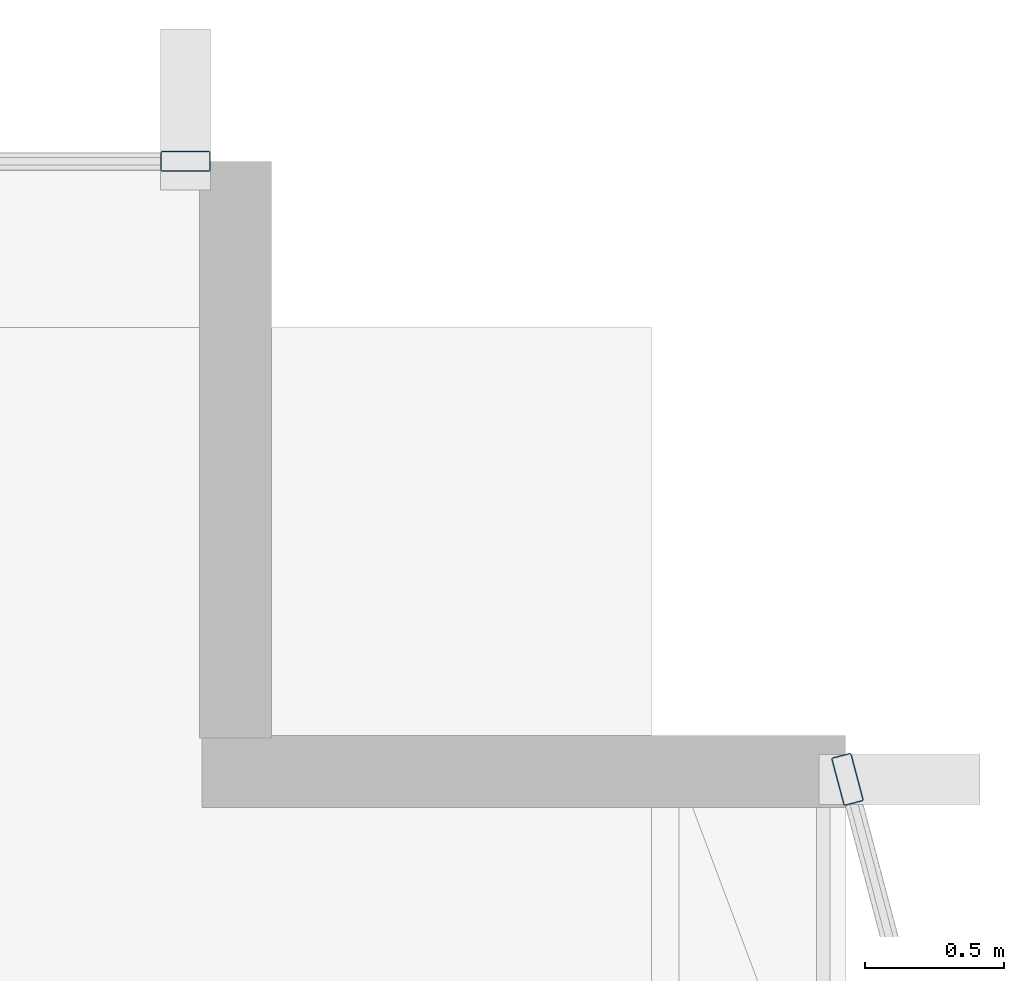
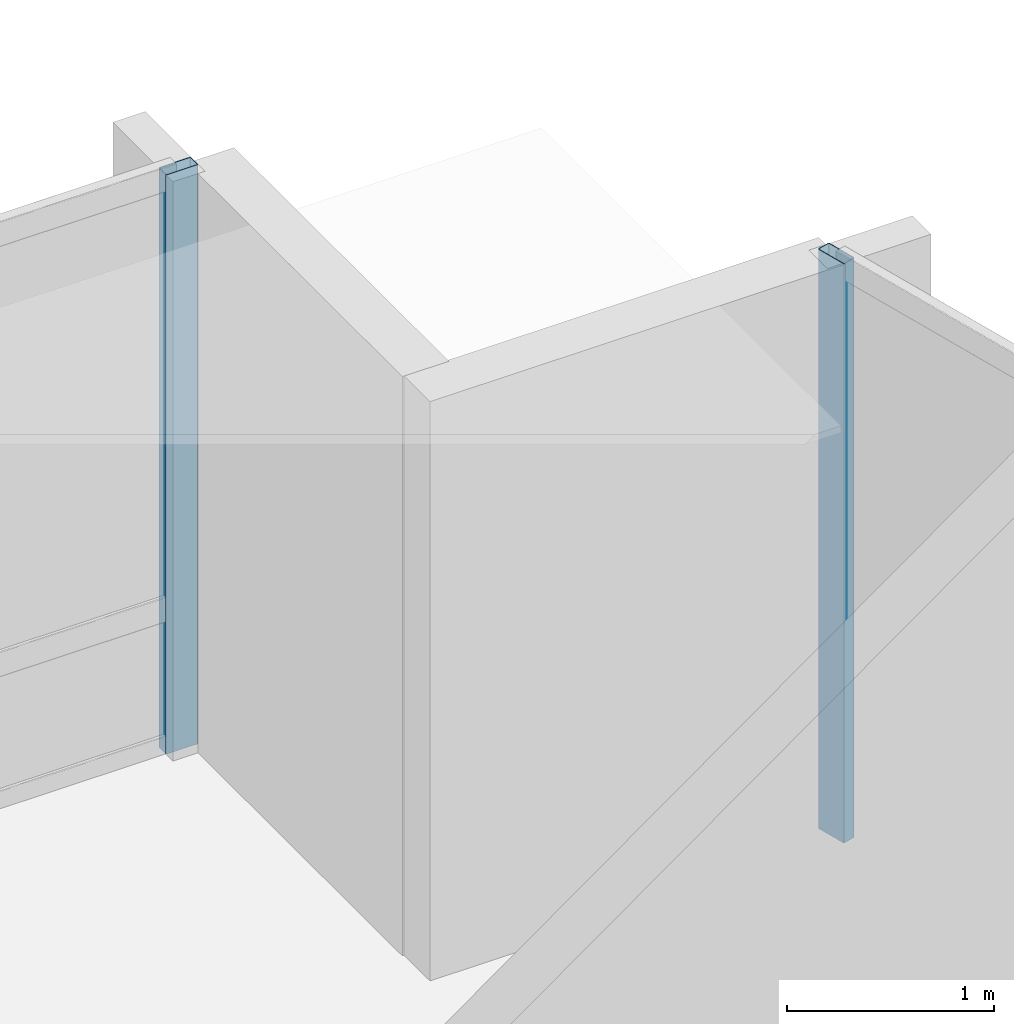
# One storey, part 14 of 28: 2 members, 2 elements without a shape of their own.
"""IFC4 building model written with IfcOpenShell, lengths in metres."""

from ifc_helpers import new_model, si_unit, direction, frame, origin, origin_2d, place, context, subcontext, project, spatial, hollow_rectangle, extrude, material, layer, layer_set, material_profile, profile_set, type_object, element, aggregate, save


model = new_model("IFC4")

# Units and contexts
model_context = context("Model", 3, precision=1e-05, world=origin(), true_north=direction((0.0, 1.0)))
body_context = subcontext(model_context, "Body", "Model", "MODEL_VIEW")
ifc_project = project(units=[si_unit("LENGTHUNIT", "METRE"), si_unit("AREAUNIT", "SQUARE_METRE"), si_unit("VOLUMEUNIT", "CUBIC_METRE"), si_unit("PLANEANGLEUNIT", "RADIAN"), si_unit("MASSUNIT", "GRAM", prefix="KILO")], contexts=[model_context])

# Site, building, storey
site_placement = place(None, origin())
site = spatial("IfcSite", under=ifc_project, at=site_placement, CompositionType="ELEMENT")
building_placement = place(site_placement, origin())
building = spatial("IfcBuilding", under=site, at=building_placement, Name="Solvaryn Broadcast Tower", CompositionType="ELEMENT")
storey_placement = place(building_placement, frame((0.0, 0.0, 217.300048828125)))
storey = spatial("IfcBuildingStorey", under=building, at=storey_placement, Name="L54", CompositionType="ELEMENT", Elevation=217.300048828125)

# Curtain wall, member
ifc_material_1 = material(Name="Aluminium and Terracotta Unitised Curtain Wall", Category="masonry")
ifc_layer = layer(ifc_material_1, 0.199951171875)
ifc_layer_set = layer_set([ifc_layer], Name="CW-SYS2-LOWMID")
curtain_wall_type = type_object("IfcCurtainWallType", Name="CW-SYS2-LOWMID", PredefinedType="NOTDEFINED", material=ifc_layer_set)
curtain_wall_1_placement = place(storey_placement, origin())
curtain_wall_1 = element("IfcCurtainWall", 1, at=curtain_wall_1_placement, inside=storey, type_object=curtain_wall_type, Name="L54 Curtain Wall ET1", PredefinedType="NOTDEFINED")
ifc_material_2 = material(Name="Anodised Aluminium 6063-T6", Category="aluminium")
ifc_material_profile = material_profile(ifc_material_2, hollow_rectangle(XDim=0.074951171875, YDim=0.179931640625, WallThickness=0.00390625, InnerFilletRadius=0.00390625, OuterFilletRadius=0.008056640625, at=origin_2d()))
ifc_profile_set = profile_set([ifc_material_profile], Name="Anodised Aluminium 6063-T6")
member_type = type_object("IfcMemberType", Name="CW-MUL-180", PredefinedType="MULLION", material=ifc_profile_set)
member_1_placement = place(storey_placement, frame((54.007568359375, 24.77099609375, 0.0), z_axis=(0.0, 0.0, 1.0), x_axis=(0.966705227863, 0.25589256031, 0.0)))
member_1 = element("IfcMember", 2, at=member_1_placement, type_object=member_type, Name="CWS2 mullion 1", PredefinedType="MULLION", context=body_context, shape_type="SweptSolid", body=[
    extrude(hollow_rectangle(XDim=0.074951171875, YDim=0.179931640625, WallThickness=0.00390625, InnerFilletRadius=0.00390625, OuterFilletRadius=0.008056640625, at=origin_2d()), origin(), (0.0, 0.0, 1.0), 3.419921875),
])
aggregate(curtain_wall_1, [member_1])

curtain_wall_2_placement = place(storey_placement, origin())
curtain_wall_2 = element("IfcCurtainWall", 3, at=curtain_wall_2_placement, inside=storey, type_object=curtain_wall_type, Name="L54 Curtain Wall IH", PredefinedType="NOTDEFINED")
member_2_placement = place(storey_placement, frame((51.6201171875, 27.0, 0.0), z_axis=(0.0, 0.0, 1.0), x_axis=(0.0, 1.0, 0.0)))
member_2 = element("IfcMember", 4, at=member_2_placement, type_object=member_type, Name="CWS2 mullion 2", PredefinedType="MULLION", context=body_context, shape_type="SweptSolid", body=[
    extrude(hollow_rectangle(XDim=0.074951171875, YDim=0.179931640625, WallThickness=0.00390625, InnerFilletRadius=0.00390625, OuterFilletRadius=0.008056640625, at=origin_2d()), origin(), (0.0, 0.0, 1.0), 3.419921875),
])
aggregate(curtain_wall_2, [member_2])

save(model, "model.ifc")
